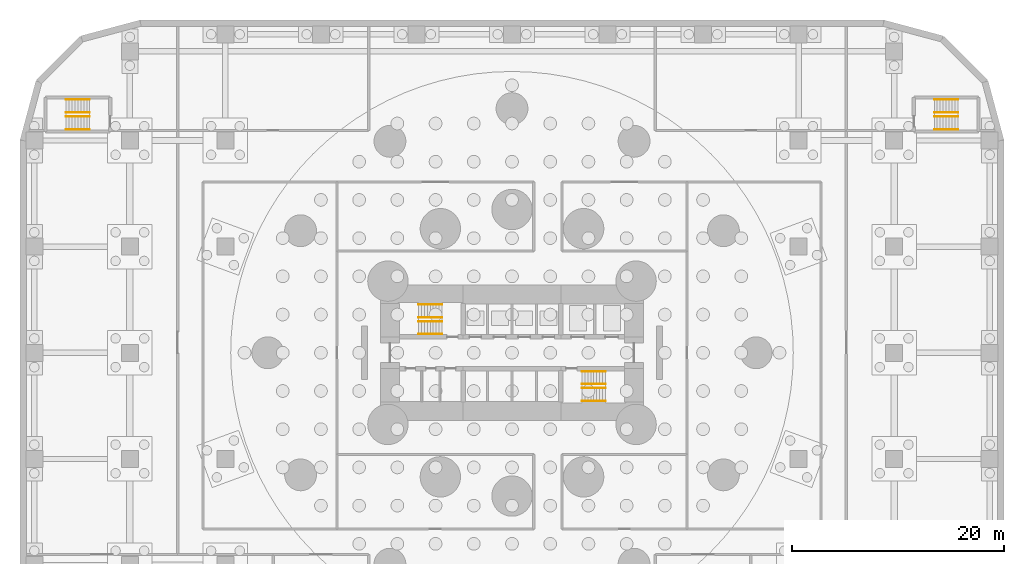
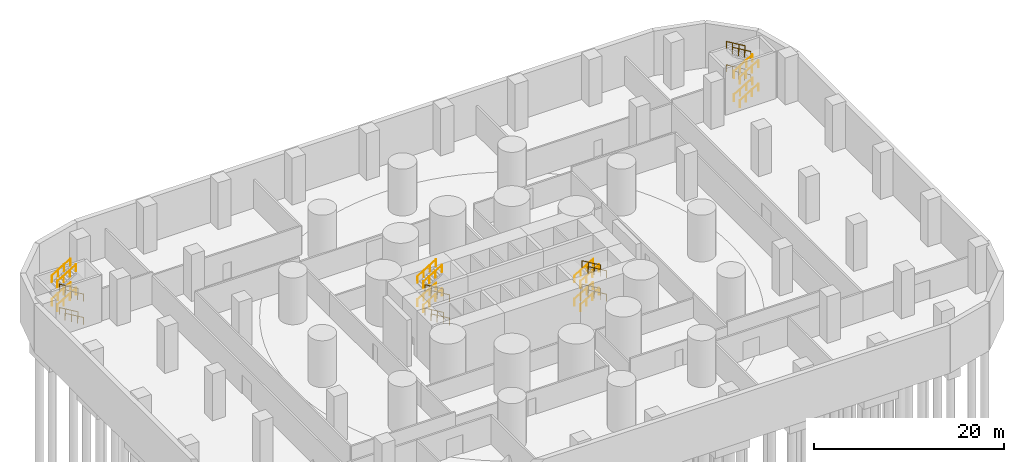
# One storey, part 9 of 10: 32 railings.
"""IFC4 building model written with IfcOpenShell, lengths in metres."""

from ifc_helpers import new_model, si_unit, direction, frame, origin, origin_2d, place, context, subcontext, project, spatial, circle, extrude, material, type_object, element, save


model = new_model("IFC4")

# Units and contexts
model_context = context("Model", 3, precision=1e-05, world=origin(), true_north=direction((0.0, 1.0)))
body_context = subcontext(model_context, "Body", "Model", "MODEL_VIEW")
ifc_project = project(units=[si_unit("LENGTHUNIT", "METRE"), si_unit("AREAUNIT", "SQUARE_METRE"), si_unit("VOLUMEUNIT", "CUBIC_METRE"), si_unit("PLANEANGLEUNIT", "RADIAN"), si_unit("MASSUNIT", "GRAM", prefix="KILO")], contexts=[model_context])

# Site, building, storey
site_placement = place(None, origin())
site = spatial("IfcSite", under=ifc_project, at=site_placement, CompositionType="ELEMENT")
building_placement = place(site_placement, origin())
building = spatial("IfcBuilding", under=site, at=building_placement, Name="Qaws Media Tower", CompositionType="ELEMENT")
storey_placement = place(building_placement, frame((0.0, 0.0, -6.0)))
storey = spatial("IfcBuildingStorey", under=building, at=storey_placement, Name="B1", CompositionType="ELEMENT", Elevation=-6.0)

# Railings
ifc_material = material(Name="Steel tube handrail", Category="steel")
railing_type = type_object("IfcRailingType", Name="Stair handrail 900", PredefinedType="HANDRAIL", material=ifc_material)
for number, where, name in (
    (1, (53.419921875, 51.75, 0.166748046875), "HR1 handrail S1 flight 1 B1"),
    (2, (53.419921875, 52.9599609375, 0.166748046875), "HR1 handrail S1 flight 1 B1"),
):
    element("IfcRailing", number, at=place(storey_placement, frame(where)), inside=storey, type_object=railing_type, Name=name, PredefinedType="HANDRAIL", context=body_context, shape_type="SweptSolid", body=[
        extrude(circle(Radius=0.02392578125, at=origin_2d()), frame((0.0, 0.0, 0.8759765625), z_axis=(-0.859305625298, 0.0, 0.511462454469), x_axis=(0.0, -1.0, 0.0)), (0.0, 0.0, 1.0), 2.606689453125),
        extrude(circle(Radius=0.02099609375, at=origin_2d()), origin(), (0.0, 0.0, 1.0), 0.851806640625),
        extrude(circle(Radius=0.02099609375, at=origin_2d()), frame((-0.74658203125, 0.0, 0.4443359375)), (0.0, 0.0, 1.0), 0.851806640625),
        extrude(circle(Radius=0.02099609375, at=origin_2d()), frame((-1.493408203125, 0.0, 0.888916015625)), (0.0, 0.0, 1.0), 0.851806640625),
        extrude(circle(Radius=0.02099609375, at=origin_2d()), frame((-2.239990234375, 0.0, 1.333251953125)), (0.0, 0.0, 1.0), 0.851806640625),
    ])
for number, where, name in (
    (3, (51.179931640625, 54.550048828125, 1.666748046875), "HR1 handrail S1 flight 2 B1"),
    (4, (51.179931640625, 53.340087890625, 1.666748046875), "HR1 handrail S1 flight 2 B1"),
):
    element("IfcRailing", number, at=place(storey_placement, frame(where)), inside=storey, type_object=railing_type, Name=name, PredefinedType="HANDRAIL", context=body_context, shape_type="SweptSolid", body=[
        extrude(circle(Radius=0.02392578125, at=origin_2d()), frame((0.0, 0.0, 0.8759765625), z_axis=(0.859305625298, 0.0, 0.511462454469), x_axis=(0.0, 1.0, 0.0)), (0.0, 0.0, 1.0), 2.606689453125),
        extrude(circle(Radius=0.02099609375, at=origin_2d()), origin(), (0.0, 0.0, 1.0), 0.851806640625),
        extrude(circle(Radius=0.02099609375, at=origin_2d()), frame((0.74658203125, 0.0, 0.4443359375)), (0.0, 0.0, 1.0), 0.851806640625),
        extrude(circle(Radius=0.02099609375, at=origin_2d()), frame((1.493408203125, 0.0, 0.888916015625)), (0.0, 0.0, 1.0), 0.851806640625),
        extrude(circle(Radius=0.02099609375, at=origin_2d()), frame((2.239990234375, 0.0, 1.333251953125)), (0.0, 0.0, 1.0), 0.851806640625),
    ])
for number, where, name in (
    (5, (53.419921875, 51.75, 3.166748046875), "HR1 handrail S1 flight 3 B1"),
    (6, (53.419921875, 52.9599609375, 3.166748046875), "HR1 handrail S1 flight 3 B1"),
):
    element("IfcRailing", number, at=place(storey_placement, frame(where)), inside=storey, type_object=railing_type, Name=name, PredefinedType="HANDRAIL", context=body_context, shape_type="SweptSolid", body=[
        extrude(circle(Radius=0.02392578125, at=origin_2d()), frame((0.0, 0.0, 0.8759765625), z_axis=(-0.859305625298, 0.0, 0.511462454469), x_axis=(0.0, -1.0, 0.0)), (0.0, 0.0, 1.0), 2.606689453125),
        extrude(circle(Radius=0.02099609375, at=origin_2d()), origin(), (0.0, 0.0, 1.0), 0.851806640625),
        extrude(circle(Radius=0.02099609375, at=origin_2d()), frame((-0.74658203125, 0.0, 0.4443359375)), (0.0, 0.0, 1.0), 0.851806640625),
        extrude(circle(Radius=0.02099609375, at=origin_2d()), frame((-1.493408203125, 0.0, 0.888916015625)), (0.0, 0.0, 1.0), 0.851806640625),
        extrude(circle(Radius=0.02099609375, at=origin_2d()), frame((-2.239990234375, 0.0, 1.333251953125)), (0.0, 0.0, 1.0), 0.851806640625),
    ])
for number, where, name in (
    (7, (51.179931640625, 54.550048828125, 4.666748046875), "HR1 handrail S1 flight 4 B1"),
    (8, (51.179931640625, 53.340087890625, 4.666748046875), "HR1 handrail S1 flight 4 B1"),
    (9, (66.580078125, 48.25, 0.166748046875), "HR1 handrail S2 flight 1 B1"),
    (10, (66.580078125, 47.0400390625, 0.166748046875), "HR1 handrail S2 flight 1 B1"),
):
    element("IfcRailing", number, at=place(storey_placement, frame(where)), inside=storey, type_object=railing_type, Name=name, PredefinedType="HANDRAIL", context=body_context, shape_type="SweptSolid", body=[
        extrude(circle(Radius=0.02392578125, at=origin_2d()), frame((0.0, 0.0, 0.8759765625), z_axis=(0.859305625298, 0.0, 0.511462454469), x_axis=(0.0, 1.0, 0.0)), (0.0, 0.0, 1.0), 2.606689453125),
        extrude(circle(Radius=0.02099609375, at=origin_2d()), origin(), (0.0, 0.0, 1.0), 0.851806640625),
        extrude(circle(Radius=0.02099609375, at=origin_2d()), frame((0.74658203125, 0.0, 0.4443359375)), (0.0, 0.0, 1.0), 0.851806640625),
        extrude(circle(Radius=0.02099609375, at=origin_2d()), frame((1.493408203125, 0.0, 0.888916015625)), (0.0, 0.0, 1.0), 0.851806640625),
        extrude(circle(Radius=0.02099609375, at=origin_2d()), frame((2.239990234375, 0.0, 1.333251953125)), (0.0, 0.0, 1.0), 0.851806640625),
    ])
for number, where, name in (
    (11, (68.820068359375, 45.449951171875, 1.666748046875), "HR1 handrail S2 flight 2 B1"),
    (12, (68.820068359375, 46.659912109375, 1.666748046875), "HR1 handrail S2 flight 2 B1"),
):
    element("IfcRailing", number, at=place(storey_placement, frame(where)), inside=storey, type_object=railing_type, Name=name, PredefinedType="HANDRAIL", context=body_context, shape_type="SweptSolid", body=[
        extrude(circle(Radius=0.02392578125, at=origin_2d()), frame((0.0, 0.0, 0.8759765625), z_axis=(-0.859305625298, 0.0, 0.511462454469), x_axis=(0.0, -1.0, 0.0)), (0.0, 0.0, 1.0), 2.606689453125),
        extrude(circle(Radius=0.02099609375, at=origin_2d()), origin(), (0.0, 0.0, 1.0), 0.851806640625),
        extrude(circle(Radius=0.02099609375, at=origin_2d()), frame((-0.74658203125, 0.0, 0.4443359375)), (0.0, 0.0, 1.0), 0.851806640625),
        extrude(circle(Radius=0.02099609375, at=origin_2d()), frame((-1.493408203125, 0.0, 0.888916015625)), (0.0, 0.0, 1.0), 0.851806640625),
        extrude(circle(Radius=0.02099609375, at=origin_2d()), frame((-2.239990234375, 0.0, 1.333251953125)), (0.0, 0.0, 1.0), 0.851806640625),
    ])
for number, where, name in (
    (13, (66.580078125, 48.25, 3.166748046875), "HR1 handrail S2 flight 3 B1"),
    (14, (66.580078125, 47.0400390625, 3.166748046875), "HR1 handrail S2 flight 3 B1"),
):
    element("IfcRailing", number, at=place(storey_placement, frame(where)), inside=storey, type_object=railing_type, Name=name, PredefinedType="HANDRAIL", context=body_context, shape_type="SweptSolid", body=[
        extrude(circle(Radius=0.02392578125, at=origin_2d()), frame((0.0, 0.0, 0.8759765625), z_axis=(0.859305625298, 0.0, 0.511462454469), x_axis=(0.0, 1.0, 0.0)), (0.0, 0.0, 1.0), 2.606689453125),
        extrude(circle(Radius=0.02099609375, at=origin_2d()), origin(), (0.0, 0.0, 1.0), 0.851806640625),
        extrude(circle(Radius=0.02099609375, at=origin_2d()), frame((0.74658203125, 0.0, 0.4443359375)), (0.0, 0.0, 1.0), 0.851806640625),
        extrude(circle(Radius=0.02099609375, at=origin_2d()), frame((1.493408203125, 0.0, 0.888916015625)), (0.0, 0.0, 1.0), 0.851806640625),
        extrude(circle(Radius=0.02099609375, at=origin_2d()), frame((2.239990234375, 0.0, 1.333251953125)), (0.0, 0.0, 1.0), 0.851806640625),
    ])
for number, where, name in (
    (15, (68.820068359375, 45.449951171875, 4.666748046875), "HR1 handrail S2 flight 4 B1"),
    (16, (68.820068359375, 46.659912109375, 4.666748046875), "HR1 handrail S2 flight 4 B1"),
    (17, (20.219970703125, 71.050048828125, 0.166748046875), "HR1 handrail S3 flight 1 B1"),
    (18, (20.219970703125, 72.260009765625, 0.166748046875), "HR1 handrail S3 flight 1 B1"),
):
    element("IfcRailing", number, at=place(storey_placement, frame(where)), inside=storey, type_object=railing_type, Name=name, PredefinedType="HANDRAIL", context=body_context, shape_type="SweptSolid", body=[
        extrude(circle(Radius=0.02392578125, at=origin_2d()), frame((0.0, 0.0, 0.8759765625), z_axis=(-0.859305625298, 0.0, 0.511462454469), x_axis=(0.0, -1.0, 0.0)), (0.0, 0.0, 1.0), 2.606689453125),
        extrude(circle(Radius=0.02099609375, at=origin_2d()), origin(), (0.0, 0.0, 1.0), 0.851806640625),
        extrude(circle(Radius=0.02099609375, at=origin_2d()), frame((-0.74658203125, 0.0, 0.4443359375)), (0.0, 0.0, 1.0), 0.851806640625),
        extrude(circle(Radius=0.02099609375, at=origin_2d()), frame((-1.493408203125, 0.0, 0.888916015625)), (0.0, 0.0, 1.0), 0.851806640625),
        extrude(circle(Radius=0.02099609375, at=origin_2d()), frame((-2.239990234375, 0.0, 1.333251953125)), (0.0, 0.0, 1.0), 0.851806640625),
    ])
for number, where, name in (
    (19, (17.97998046875, 73.85009765625, 1.666748046875), "HR1 handrail S3 flight 2 B1"),
    (20, (17.97998046875, 72.639892578125, 1.666748046875), "HR1 handrail S3 flight 2 B1"),
):
    element("IfcRailing", number, at=place(storey_placement, frame(where)), inside=storey, type_object=railing_type, Name=name, PredefinedType="HANDRAIL", context=body_context, shape_type="SweptSolid", body=[
        extrude(circle(Radius=0.02392578125, at=origin_2d()), frame((0.0, 0.0, 0.8759765625), z_axis=(0.859305625298, 0.0, 0.511462454469), x_axis=(0.0, 1.0, 0.0)), (0.0, 0.0, 1.0), 2.606689453125),
        extrude(circle(Radius=0.02099609375, at=origin_2d()), origin(), (0.0, 0.0, 1.0), 0.851806640625),
        extrude(circle(Radius=0.02099609375, at=origin_2d()), frame((0.74658203125, 0.0, 0.4443359375)), (0.0, 0.0, 1.0), 0.851806640625),
        extrude(circle(Radius=0.02099609375, at=origin_2d()), frame((1.493408203125, 0.0, 0.888916015625)), (0.0, 0.0, 1.0), 0.851806640625),
        extrude(circle(Radius=0.02099609375, at=origin_2d()), frame((2.239990234375, 0.0, 1.333251953125)), (0.0, 0.0, 1.0), 0.851806640625),
    ])
for number, where, name in (
    (21, (20.219970703125, 71.050048828125, 3.166748046875), "HR1 handrail S3 flight 3 B1"),
    (22, (20.219970703125, 72.260009765625, 3.166748046875), "HR1 handrail S3 flight 3 B1"),
):
    element("IfcRailing", number, at=place(storey_placement, frame(where)), inside=storey, type_object=railing_type, Name=name, PredefinedType="HANDRAIL", context=body_context, shape_type="SweptSolid", body=[
        extrude(circle(Radius=0.02392578125, at=origin_2d()), frame((0.0, 0.0, 0.8759765625), z_axis=(-0.859305625298, 0.0, 0.511462454469), x_axis=(0.0, -1.0, 0.0)), (0.0, 0.0, 1.0), 2.606689453125),
        extrude(circle(Radius=0.02099609375, at=origin_2d()), origin(), (0.0, 0.0, 1.0), 0.851806640625),
        extrude(circle(Radius=0.02099609375, at=origin_2d()), frame((-0.74658203125, 0.0, 0.4443359375)), (0.0, 0.0, 1.0), 0.851806640625),
        extrude(circle(Radius=0.02099609375, at=origin_2d()), frame((-1.493408203125, 0.0, 0.888916015625)), (0.0, 0.0, 1.0), 0.851806640625),
        extrude(circle(Radius=0.02099609375, at=origin_2d()), frame((-2.239990234375, 0.0, 1.333251953125)), (0.0, 0.0, 1.0), 0.851806640625),
    ])
for number, where, name in (
    (23, (17.97998046875, 73.85009765625, 4.666748046875), "HR1 handrail S3 flight 4 B1"),
    (24, (17.97998046875, 72.639892578125, 4.666748046875), "HR1 handrail S3 flight 4 B1"),
    (25, (99.780029296875, 71.050048828125, 0.166748046875), "HR1 handrail S4 flight 1 B1"),
    (26, (99.780029296875, 72.260009765625, 0.166748046875), "HR1 handrail S4 flight 1 B1"),
):
    element("IfcRailing", number, at=place(storey_placement, frame(where)), inside=storey, type_object=railing_type, Name=name, PredefinedType="HANDRAIL", context=body_context, shape_type="SweptSolid", body=[
        extrude(circle(Radius=0.02392578125, at=origin_2d()), frame((0.0, 0.0, 0.8759765625), z_axis=(0.859305625298, 0.0, 0.511462454469), x_axis=(0.0, 1.0, 0.0)), (0.0, 0.0, 1.0), 2.606689453125),
        extrude(circle(Radius=0.02099609375, at=origin_2d()), origin(), (0.0, 0.0, 1.0), 0.851806640625),
        extrude(circle(Radius=0.02099609375, at=origin_2d()), frame((0.74658203125, 0.0, 0.4443359375)), (0.0, 0.0, 1.0), 0.851806640625),
        extrude(circle(Radius=0.02099609375, at=origin_2d()), frame((1.493408203125, 0.0, 0.888916015625)), (0.0, 0.0, 1.0), 0.851806640625),
        extrude(circle(Radius=0.02099609375, at=origin_2d()), frame((2.239990234375, 0.0, 1.333251953125)), (0.0, 0.0, 1.0), 0.851806640625),
    ])
for number, where, name in (
    (27, (102.02001953125, 73.85009765625, 1.666748046875), "HR1 handrail S4 flight 2 B1"),
    (28, (102.02001953125, 72.639892578125, 1.666748046875), "HR1 handrail S4 flight 2 B1"),
):
    element("IfcRailing", number, at=place(storey_placement, frame(where)), inside=storey, type_object=railing_type, Name=name, PredefinedType="HANDRAIL", context=body_context, shape_type="SweptSolid", body=[
        extrude(circle(Radius=0.02392578125, at=origin_2d()), frame((0.0, 0.0, 0.8759765625), z_axis=(-0.859305625298, 0.0, 0.511462454469), x_axis=(0.0, -1.0, 0.0)), (0.0, 0.0, 1.0), 2.606689453125),
        extrude(circle(Radius=0.02099609375, at=origin_2d()), origin(), (0.0, 0.0, 1.0), 0.851806640625),
        extrude(circle(Radius=0.02099609375, at=origin_2d()), frame((-0.74658203125, 0.0, 0.4443359375)), (0.0, 0.0, 1.0), 0.851806640625),
        extrude(circle(Radius=0.02099609375, at=origin_2d()), frame((-1.493408203125, 0.0, 0.888916015625)), (0.0, 0.0, 1.0), 0.851806640625),
        extrude(circle(Radius=0.02099609375, at=origin_2d()), frame((-2.239990234375, 0.0, 1.333251953125)), (0.0, 0.0, 1.0), 0.851806640625),
    ])
for number, where, name in (
    (29, (99.780029296875, 71.050048828125, 3.166748046875), "HR1 handrail S4 flight 3 B1"),
    (30, (99.780029296875, 72.260009765625, 3.166748046875), "HR1 handrail S4 flight 3 B1"),
):
    element("IfcRailing", number, at=place(storey_placement, frame(where)), inside=storey, type_object=railing_type, Name=name, PredefinedType="HANDRAIL", context=body_context, shape_type="SweptSolid", body=[
        extrude(circle(Radius=0.02392578125, at=origin_2d()), frame((0.0, 0.0, 0.8759765625), z_axis=(0.859305625298, 0.0, 0.511462454469), x_axis=(0.0, 1.0, 0.0)), (0.0, 0.0, 1.0), 2.606689453125),
        extrude(circle(Radius=0.02099609375, at=origin_2d()), origin(), (0.0, 0.0, 1.0), 0.851806640625),
        extrude(circle(Radius=0.02099609375, at=origin_2d()), frame((0.74658203125, 0.0, 0.4443359375)), (0.0, 0.0, 1.0), 0.851806640625),
        extrude(circle(Radius=0.02099609375, at=origin_2d()), frame((1.493408203125, 0.0, 0.888916015625)), (0.0, 0.0, 1.0), 0.851806640625),
        extrude(circle(Radius=0.02099609375, at=origin_2d()), frame((2.239990234375, 0.0, 1.333251953125)), (0.0, 0.0, 1.0), 0.851806640625),
    ])
for number, where, name in (
    (31, (102.02001953125, 73.85009765625, 4.666748046875), "HR1 handrail S4 flight 4 B1"),
    (32, (102.02001953125, 72.639892578125, 4.666748046875), "HR1 handrail S4 flight 4 B1"),
):
    element("IfcRailing", number, at=place(storey_placement, frame(where)), inside=storey, type_object=railing_type, Name=name, PredefinedType="HANDRAIL", context=body_context, shape_type="SweptSolid", body=[
        extrude(circle(Radius=0.02392578125, at=origin_2d()), frame((0.0, 0.0, 0.8759765625), z_axis=(-0.859305625298, 0.0, 0.511462454469), x_axis=(0.0, -1.0, 0.0)), (0.0, 0.0, 1.0), 2.606689453125),
        extrude(circle(Radius=0.02099609375, at=origin_2d()), origin(), (0.0, 0.0, 1.0), 0.851806640625),
        extrude(circle(Radius=0.02099609375, at=origin_2d()), frame((-0.74658203125, 0.0, 0.4443359375)), (0.0, 0.0, 1.0), 0.851806640625),
        extrude(circle(Radius=0.02099609375, at=origin_2d()), frame((-1.493408203125, 0.0, 0.888916015625)), (0.0, 0.0, 1.0), 0.851806640625),
        extrude(circle(Radius=0.02099609375, at=origin_2d()), frame((-2.239990234375, 0.0, 1.333251953125)), (0.0, 0.0, 1.0), 0.851806640625),
    ])

save(model, "model.ifc")
